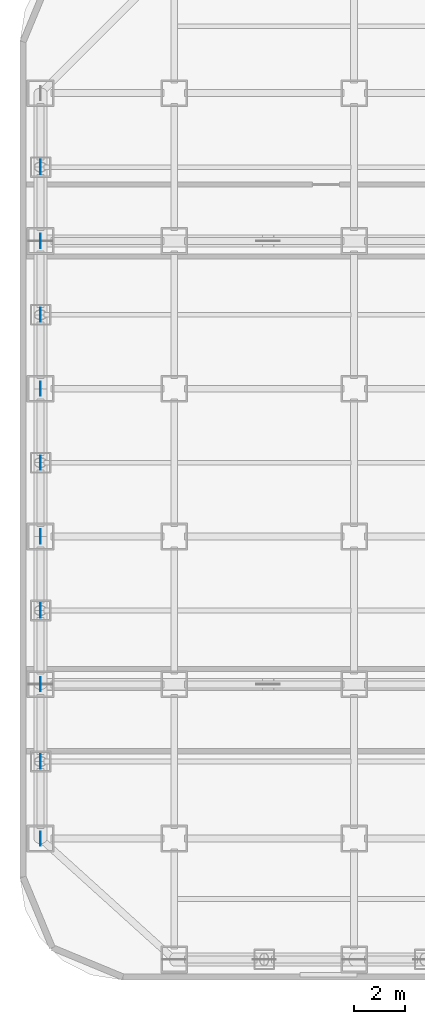
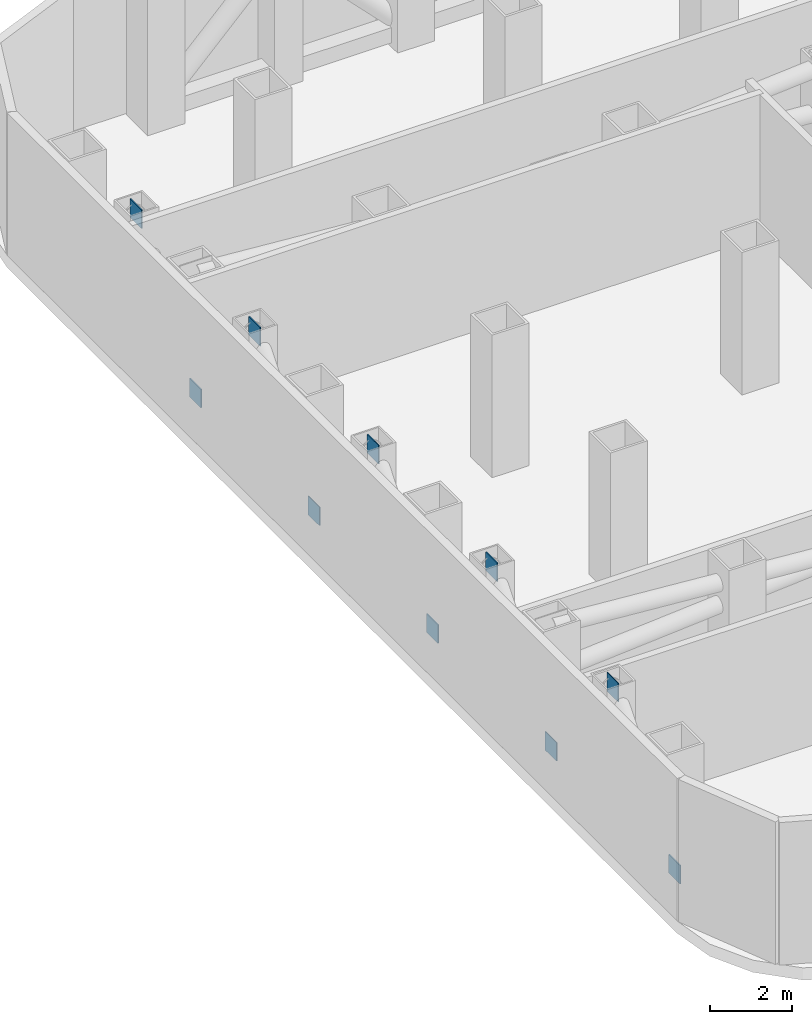
# One storey, part 5 of 10: 10 plates.
"""IFC4 building model written with IfcOpenShell, lengths in metres."""

from ifc_helpers import new_model, si_unit, direction, frame, origin, origin_2d, place, context, subcontext, project, spatial, rectangle, extrude, source, transform, mapped, material, layer, layer_set, type_object, element, save


model = new_model("IFC4")

# Units and contexts
model_context = context("Model", 3, precision=1e-05, world=origin(), true_north=direction((0.0, 1.0)))
body_context = subcontext(model_context, "Body", "Model", "MODEL_VIEW")
ifc_project = project(units=[si_unit("LENGTHUNIT", "METRE"), si_unit("AREAUNIT", "SQUARE_METRE"), si_unit("VOLUMEUNIT", "CUBIC_METRE"), si_unit("PLANEANGLEUNIT", "RADIAN"), si_unit("MASSUNIT", "GRAM", prefix="KILO")], contexts=[model_context])

# Site, building, storey
site_placement = place(None, origin())
site = spatial("IfcSite", under=ifc_project, at=site_placement, CompositionType="ELEMENT")
building_placement = place(site_placement, origin())
building = spatial("IfcBuilding", under=site, at=building_placement, Name="Kolveth Station Tower", CompositionType="ELEMENT")
storey_placement = place(building_placement, frame((0.0, 0.0, 76.5)))
storey = spatial("IfcBuildingStorey", under=building, at=storey_placement, Name="L20", CompositionType="ELEMENT", Elevation=76.5)

# Plates
ifc_material = material(Name="Steel S355", Category="steel")
ifc_layer = layer(ifc_material, 0.028076171875)
ifc_layer_set = layer_set([ifc_layer], Name="Steel S355")
plate_type = type_object("IfcPlateType", Name="Plate_CP1", PredefinedType="USERDEFINED", material=ifc_layer_set)
shared_shape = source(origin(), body_context, "Body", "SweptSolid", [
    extrude(rectangle(XDim=0.028076171875, YDim=0.550048828125, at=origin_2d()), origin(), (0.0, 0.0, 1.0), 0.550048828125),
])
for number, where, z_axis, x_axis, name in (
    (1, (0.800048828125, 5.5, 0.0751953125), (0.0, 0.0, 1.0), (1.0, 0.0, 0.0), "L20 Belt Truss Base Plate W1"),
    (2, (0.800048828125, 11.5, 0.0751953125), (0.0, 0.0, 1.0), (1.0, 0.0, 0.0), "L20 Belt Truss Base Plate W2"),
    (3, (0.800048828125, 17.25, 0.0751953125), (0.0, 0.0, 1.0), (1.0, 0.0, 0.0), "L20 Belt Truss Base Plate W3"),
    (4, (0.800048828125, 23.0, 0.0751953125), (0.0, 0.0, 1.0), (1.0, 0.0, 0.0), "L20 Belt Truss Base Plate W4"),
    (5, (0.800048828125, 28.75, 0.0751953125), (0.0, 0.0, 1.0), (1.0, 0.0, 0.0), "L20 Belt Truss Base Plate W5"),
    (6, (0.800048828125, 8.5, 3.64501953125), (0.0, 0.0, 1.0), (1.0, 0.0, 0.0), "L20 Belt Truss Cap Plate W1"),
    (7, (0.800048828125, 14.375, 3.64501953125), (0.0, 0.0, 1.0), (1.0, 0.0, 0.0), "L20 Belt Truss Cap Plate W2"),
    (8, (0.800048828125, 20.125, 3.64501953125), (0.0, 0.0, 1.0), (1.0, 0.0, 0.0), "L20 Belt Truss Cap Plate W3"),
    (9, (0.800048828125, 25.875, 3.64501953125), (0.0, 0.0, 1.0), (1.0, 0.0, 0.0), "L20 Belt Truss Cap Plate W4"),
    (10, (0.800048828125, 31.625, 3.64501953125), (0.0, 0.0, 1.0), (1.0, 0.0, 0.0), "L20 Belt Truss Cap Plate W5"),
):
    element("IfcPlate", number, at=place(storey_placement, frame(where, z_axis=z_axis, x_axis=x_axis)), inside=storey, type_object=plate_type, Name=name, ObjectType="GUSSET_PLATE", PredefinedType="USERDEFINED", context=body_context, shape_type="MappedRepresentation", body=[
        mapped(shared_shape, transform((0.0, 0.0, 0.0), x_axis=(1.0, 0.0, 0.0), y_axis=(0.0, 1.0, 0.0), z_axis=(0.0, 0.0, 1.0), scale=1.0)),
    ])

save(model, "model.ifc")
